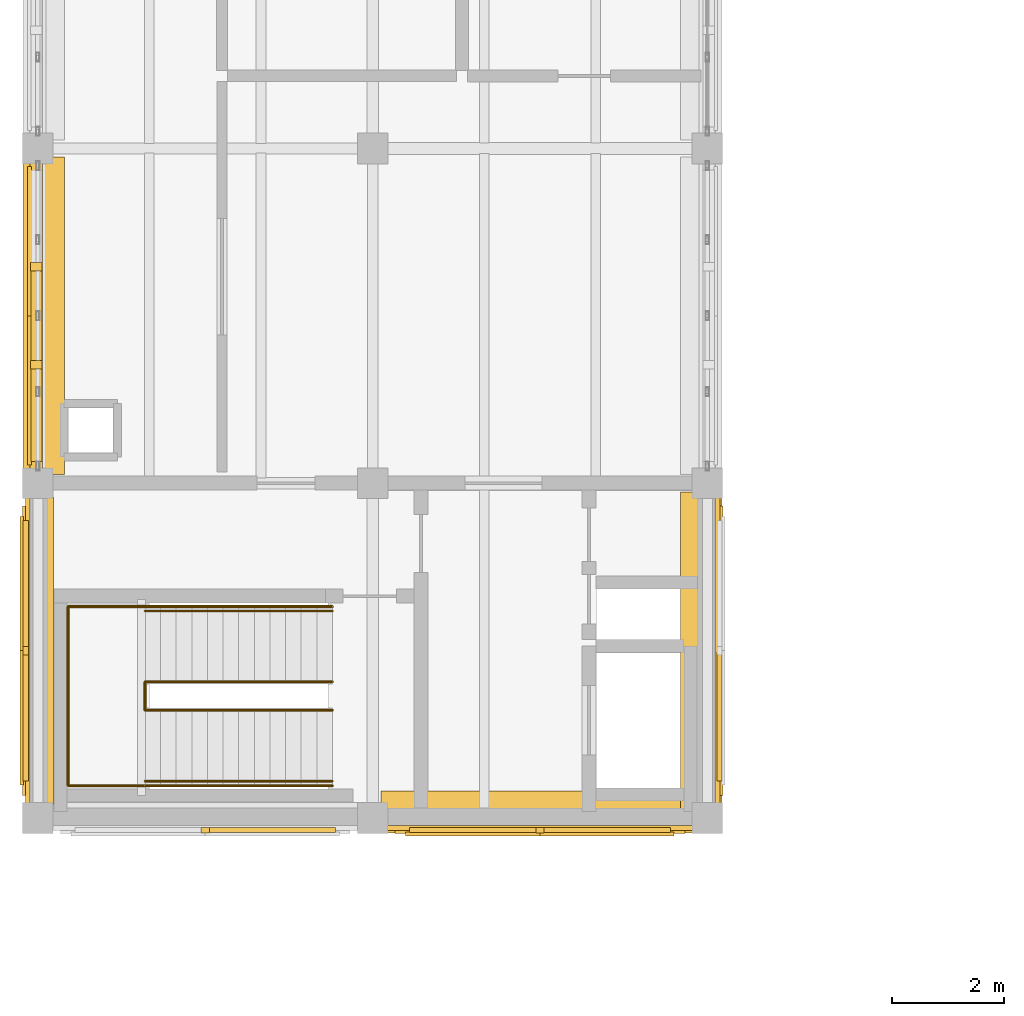
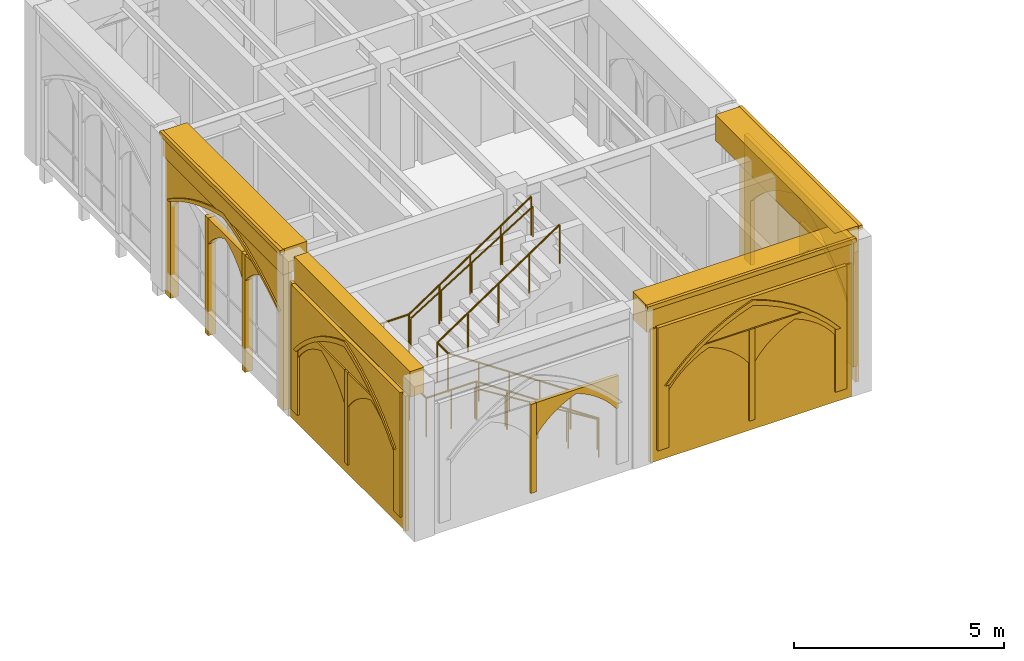
# One storey, part 86 of 108: 30 coverings, 6 railings.
"""IFC4 building model written with IfcOpenShell, lengths in metres."""

from ifc_helpers import new_model, si_unit, direction, frame, origin, origin_2d, place, context, subcontext, project, spatial, polyline, rectangle, circle, outline, extrude, material, type_object, element, save


model = new_model("IFC4")

# Units and contexts
model_context = context("Model", 3, precision=1e-05, world=origin(), true_north=direction((0.0, 1.0)))
body_context = subcontext(model_context, "Body", "Model", "MODEL_VIEW")
ifc_project = project(units=[si_unit("LENGTHUNIT", "METRE"), si_unit("AREAUNIT", "SQUARE_METRE"), si_unit("VOLUMEUNIT", "CUBIC_METRE"), si_unit("PLANEANGLEUNIT", "RADIAN"), si_unit("MASSUNIT", "GRAM", prefix="KILO")], contexts=[model_context])

# Site, building, storey
site_placement = place(None, origin())
site = spatial("IfcSite", under=ifc_project, at=site_placement, CompositionType="ELEMENT")
building_placement = place(site_placement, origin())
building = spatial("IfcBuilding", under=site, at=building_placement, Name="Cumevento Cable Car Station", CompositionType="ELEMENT")
storey_placement = place(building_placement, frame((0.0, 0.0, 13.5)))
storey = spatial("IfcBuildingStorey", under=building, at=storey_placement, Name="L04", CompositionType="ELEMENT", Elevation=13.5)

# Railings
ifc_material_1 = material(Name="Painted Galvanised Architectural Steel", Category="steel")
railing_type_1 = type_object("IfcRailingType", Name="Stair Guardrail GR-S115", PredefinedType="GUARDRAIL", material=ifc_material_1)
railing_1_placement = place(storey_placement, frame((15.280029296875, 28.929931640625, 0.0)))
element("IfcRailing", 1, at=railing_1_placement, inside=storey, type_object=railing_type_1, Name="Stair Well Inner Guardrail ST-03-L04", PredefinedType="GUARDRAIL", context=body_context, shape_type="SweptSolid", body=[
    extrude(circle(Radius=0.02392578125, at=origin_2d()), frame((0.0, 0.0, 1.1259765625), z_axis=(-0.830915400975, 0.0, 0.556398774641), x_axis=(0.0, -1.0, 0.0)), (0.0, 0.0, 1.0), 4.0439453125),
    extrude(circle(Radius=0.02392578125, at=origin_2d()), frame((-3.360107421875, 0.0, 3.3759765625), z_axis=(0.0, 1.0, 0.0), x_axis=(-1.0, 0.0, 0.0)), (0.0, 0.0, 1.0), 0.510009765625),
    extrude(circle(Radius=0.02392578125, at=origin_2d()), frame((-3.360107421875, 0.510009765625, 3.3759765625), z_axis=(0.830915400975, 0.0, 0.556398774641), x_axis=(0.0, 1.0, 0.0)), (0.0, 0.0, 1.0), 4.0439453125),
    extrude(circle(Radius=0.02001953125, at=origin_2d()), origin(), (0.0, 0.0, 1.0), 1.101806640625),
    extrude(circle(Radius=0.02001953125, at=origin_2d()), frame((-0.840087890625, 0.0, 0.5625)), (0.0, 0.0, 1.0), 1.101806640625),
    extrude(circle(Radius=0.02001953125, at=origin_2d()), frame((-1.68017578125, 0.0, 1.125)), (0.0, 0.0, 1.0), 1.101806640625),
    extrude(circle(Radius=0.02001953125, at=origin_2d()), frame((-2.52001953125, 0.0, 1.6875)), (0.0, 0.0, 1.0), 1.101806640625),
    extrude(circle(Radius=0.02001953125, at=origin_2d()), frame((-3.360107421875, 0.0, 2.25)), (0.0, 0.0, 1.0), 1.101806640625),
    extrude(circle(Radius=0.02001953125, at=origin_2d()), frame((-3.360107421875, 0.510009765625, 2.25)), (0.0, 0.0, 1.0), 1.101806640625),
    extrude(circle(Radius=0.02001953125, at=origin_2d()), frame((-2.52001953125, 0.510009765625, 2.8125)), (0.0, 0.0, 1.0), 1.101806640625),
    extrude(circle(Radius=0.02001953125, at=origin_2d()), frame((-1.68017578125, 0.510009765625, 3.375)), (0.0, 0.0, 1.0), 1.101806640625),
    extrude(circle(Radius=0.02001953125, at=origin_2d()), frame((-0.840087890625, 0.510009765625, 3.9375)), (0.0, 0.0, 1.0), 1.101806640625),
    extrude(circle(Radius=0.02001953125, at=origin_2d()), frame((0.0, 0.510009765625, 4.5)), (0.0, 0.0, 1.0), 1.101806640625),
])
railing_2_placement = place(storey_placement, frame((11.919921875, 27.580078125, 2.25)))
element("IfcRailing", 2, at=railing_2_placement, inside=storey, type_object=railing_type_1, Name="Stair Half-Landing Guardrail ST-03-L04", PredefinedType="GUARDRAIL", context=body_context, shape_type="SweptSolid", body=[
    extrude(circle(Radius=0.02392578125, at=origin_2d()), frame((0.0, 0.0, 1.1259765625), z_axis=(-1.0, 0.0, 0.0), x_axis=(0.0, -1.0, 0.0)), (0.0, 0.0, 1.0), 1.3798828125),
    extrude(circle(Radius=0.02392578125, at=origin_2d()), frame((-1.3798828125, 0.0, 1.1259765625), z_axis=(0.0, 1.0, 0.0), x_axis=(-1.0, 0.0, 0.0)), (0.0, 0.0, 1.0), 3.2099609375),
    extrude(circle(Radius=0.02392578125, at=origin_2d()), frame((-1.3798828125, 3.2099609375, 1.1259765625), z_axis=(1.0, 0.0, 0.0), x_axis=(0.0, 1.0, 0.0)), (0.0, 0.0, 1.0), 1.3798828125),
    extrude(circle(Radius=0.02001953125, at=origin_2d()), origin(), (0.0, 0.0, 1.0), 1.101806640625),
    extrude(circle(Radius=0.02001953125, at=origin_2d()), frame((-0.68994140625, 0.0, 0.0)), (0.0, 0.0, 1.0), 1.101806640625),
    extrude(circle(Radius=0.02001953125, at=origin_2d()), frame((-1.3798828125, 0.0, 0.0)), (0.0, 0.0, 1.0), 1.101806640625),
    extrude(circle(Radius=0.02001953125, at=origin_2d()), frame((-1.3798828125, 0.802490234375, 0.0)), (0.0, 0.0, 1.0), 1.101806640625),
    extrude(circle(Radius=0.02001953125, at=origin_2d()), frame((-1.3798828125, 1.60498046875, 0.0)), (0.0, 0.0, 1.0), 1.101806640625),
    extrude(circle(Radius=0.02001953125, at=origin_2d()), frame((-1.3798828125, 2.407470703125, 0.0)), (0.0, 0.0, 1.0), 1.101806640625),
    extrude(circle(Radius=0.02001953125, at=origin_2d()), frame((-1.3798828125, 3.2099609375, 0.0)), (0.0, 0.0, 1.0), 1.101806640625),
    extrude(circle(Radius=0.02001953125, at=origin_2d()), frame((-0.68994140625, 3.2099609375, 0.0)), (0.0, 0.0, 1.0), 1.101806640625),
    extrude(circle(Radius=0.02001953125, at=origin_2d()), frame((0.0, 3.2099609375, 0.0)), (0.0, 0.0, 1.0), 1.101806640625),
])
railing_3_placement = place(storey_placement, frame((15.280029296875, 27.580078125, 0.0)))
element("IfcRailing", 3, at=railing_3_placement, inside=storey, type_object=railing_type_1, Name="Stair Outer Guardrail ST-03-L04 F1", PredefinedType="GUARDRAIL", context=body_context, shape_type="SweptSolid", body=[
    extrude(circle(Radius=0.02392578125, at=origin_2d()), frame((0.0, 0.0, 1.1259765625), z_axis=(-0.830915400975, 0.0, 0.556398774641), x_axis=(0.0, -1.0, 0.0)), (0.0, 0.0, 1.0), 4.0439453125),
    extrude(circle(Radius=0.02001953125, at=origin_2d()), origin(), (0.0, 0.0, 1.0), 1.101806640625),
    extrude(circle(Radius=0.02001953125, at=origin_2d()), frame((-0.840087890625, 0.0, 0.5625)), (0.0, 0.0, 1.0), 1.101806640625),
    extrude(circle(Radius=0.02001953125, at=origin_2d()), frame((-1.68017578125, 0.0, 1.125)), (0.0, 0.0, 1.0), 1.101806640625),
    extrude(circle(Radius=0.02001953125, at=origin_2d()), frame((-2.52001953125, 0.0, 1.6875)), (0.0, 0.0, 1.0), 1.101806640625),
    extrude(circle(Radius=0.02001953125, at=origin_2d()), frame((-3.360107421875, 0.0, 2.25)), (0.0, 0.0, 1.0), 1.101806640625),
])
railing_4_placement = place(storey_placement, frame((11.919921875, 30.7900390625, 2.25)))
element("IfcRailing", 4, at=railing_4_placement, inside=storey, type_object=railing_type_1, Name="Stair Outer Guardrail ST-03-L04 F2", PredefinedType="GUARDRAIL", context=body_context, shape_type="SweptSolid", body=[
    extrude(circle(Radius=0.02392578125, at=origin_2d()), frame((0.0, 0.0, 1.1259765625), z_axis=(0.830915400975, 0.0, 0.556398774641), x_axis=(0.0, 1.0, 0.0)), (0.0, 0.0, 1.0), 4.0439453125),
    extrude(circle(Radius=0.02001953125, at=origin_2d()), origin(), (0.0, 0.0, 1.0), 1.101806640625),
    extrude(circle(Radius=0.02001953125, at=origin_2d()), frame((0.840087890625, 0.0, 0.5625)), (0.0, 0.0, 1.0), 1.101806640625),
    extrude(circle(Radius=0.02001953125, at=origin_2d()), frame((1.68017578125, 0.0, 1.125)), (0.0, 0.0, 1.0), 1.101806640625),
    extrude(circle(Radius=0.02001953125, at=origin_2d()), frame((2.52001953125, 0.0, 1.6875)), (0.0, 0.0, 1.0), 1.101806640625),
    extrude(circle(Radius=0.02001953125, at=origin_2d()), frame((3.360107421875, 0.0, 2.25)), (0.0, 0.0, 1.0), 1.101806640625),
])
ifc_material_2 = material(Name="Brushed Stainless Steel Handrail Tube", Category="steel")
railing_type_2 = type_object("IfcRailingType", Name="Stair Handrail HR-090", PredefinedType="HANDRAIL", material=ifc_material_2)
railing_5_placement = place(storey_placement, frame((15.280029296875, 27.659912109375, 0.17626953125)))
element("IfcRailing", 5, at=railing_5_placement, inside=storey, type_object=railing_type_2, Name="Stair Pitch Handrail ST-03-L04 F1", PredefinedType="HANDRAIL", context=body_context, shape_type="SweptSolid", body=[
    extrude(circle(Radius=0.02099609375, at=origin_2d()), frame((0.0, 0.0, 0.87890625), z_axis=(-0.850623216509, 0.0, 0.525775754039), x_axis=(0.0, -1.0, 0.0)), (0.0, 0.0, 1.0), 3.9501953125),
    extrude(circle(Radius=0.01611328125, at=origin_2d()), origin(), (0.0, 0.0, 1.0), 0.85791015625),
    extrude(circle(Radius=0.01611328125, at=origin_2d()), frame((-0.840087890625, 0.0, 0.519287109375)), (0.0, 0.0, 1.0), 0.85791015625),
    extrude(circle(Radius=0.01611328125, at=origin_2d()), frame((-1.68017578125, 0.0, 1.03857421875)), (0.0, 0.0, 1.0), 0.85791015625),
    extrude(circle(Radius=0.01611328125, at=origin_2d()), frame((-2.52001953125, 0.0, 1.5576171875)), (0.0, 0.0, 1.0), 0.85791015625),
    extrude(circle(Radius=0.01611328125, at=origin_2d()), frame((-3.360107421875, 0.0, 2.076904296875)), (0.0, 0.0, 1.0), 0.85791015625),
])
railing_6_placement = place(storey_placement, frame((11.919921875, 30.7099609375, 2.42626953125)))
element("IfcRailing", 6, at=railing_6_placement, inside=storey, type_object=railing_type_2, Name="Stair Pitch Handrail ST-03-L04 F2", PredefinedType="HANDRAIL", context=body_context, shape_type="SweptSolid", body=[
    extrude(circle(Radius=0.02099609375, at=origin_2d()), frame((0.0, 0.0, 0.87890625), z_axis=(0.850623216509, 0.0, 0.525775754039), x_axis=(0.0, 1.0, 0.0)), (0.0, 0.0, 1.0), 3.9501953125),
    extrude(circle(Radius=0.01611328125, at=origin_2d()), origin(), (0.0, 0.0, 1.0), 0.85791015625),
    extrude(circle(Radius=0.01611328125, at=origin_2d()), frame((0.840087890625, 0.0, 0.519287109375)), (0.0, 0.0, 1.0), 0.85791015625),
    extrude(circle(Radius=0.01611328125, at=origin_2d()), frame((1.68017578125, 0.0, 1.03857421875)), (0.0, 0.0, 1.0), 0.85791015625),
    extrude(circle(Radius=0.01611328125, at=origin_2d()), frame((2.52001953125, 0.0, 1.5576171875)), (0.0, 0.0, 1.0), 0.85791015625),
    extrude(circle(Radius=0.01611328125, at=origin_2d()), frame((3.360107421875, 0.0, 2.076904296875)), (0.0, 0.0, 1.0), 0.85791015625),
])

# Coverings
ifc_material_3 = material(Name="Gnaisse Facoidal Stone Ashlar 85 MPa", Category="masonry")
covering_type = type_object("IfcCoveringType", Name="Gnaisse Ashlar Cladding CV-CL01", PredefinedType="CLADDING", material=ifc_material_3)
covering_1_placement = place(storey_placement, frame((19.0, 27.14990234375, 3.77099609375), z_axis=(0.0, 0.0, 1.0), x_axis=(-1.0, 0.0, 0.0)))
element("IfcCovering", 7, at=covering_1_placement, inside=storey, type_object=covering_type, Name="Gothic Stone Spandrel Stringcourse sc:0707", PredefinedType="CLADDING", context=body_context, shape_type="SweptSolid", body=[
    extrude(rectangle(XDim=5.68994140625, YDim=0.659912109375, at=origin_2d()), origin(), (0.0, 0.0, 1.0), 0.797119140625),
])
covering_2_placement = place(storey_placement, frame((19.0, 26.79248046875, 4.43798828125), z_axis=(0.0, 0.0, 1.0), x_axis=(-1.0, 0.0, 0.0)))
element("IfcCovering", 8, at=covering_2_placement, inside=storey, type_object=covering_type, Name="Gothic Cornice Dripstone Lip sc:0707", PredefinedType="CLADDING", context=body_context, shape_type="SweptSolid", body=[
    extrude(rectangle(XDim=5.72998046875, YDim=0.114990234375, at=origin_2d()), origin(), (0.0, 0.0, 1.0), 0.1298828125),
])
covering_3_placement = place(storey_placement, frame((10.090087890625, 30.0, 3.821044921875), z_axis=(0.0, 0.0, 1.0), x_axis=(0.0, 1.0, 0.0)))
element("IfcCovering", 9, at=covering_3_placement, inside=storey, type_object=covering_type, Name="Gothic Stone Spandrel Stringcourse sc:0708", PredefinedType="CLADDING", context=body_context, shape_type="SweptSolid", body=[
    extrude(rectangle(XDim=5.510009765625, YDim=0.3798828125, at=origin_2d()), origin(), (0.0, 0.0, 1.0), 0.7470703125),
])
covering_4_placement = place(storey_placement, frame((21.85009765625, 30.0, 3.821044921875), z_axis=(0.0, 0.0, 1.0), x_axis=(0.0, -1.0, 0.0)))
element("IfcCovering", 10, at=covering_4_placement, inside=storey, type_object=covering_type, Name="Gothic Stone Spandrel Stringcourse sc:0709", PredefinedType="CLADDING", context=body_context, shape_type="SweptSolid", body=[
    extrude(rectangle(XDim=5.68994140625, YDim=0.659912109375, at=origin_2d()), origin(), (0.0, 0.0, 1.0), 0.7470703125),
])
covering_5_placement = place(storey_placement, frame((22.20751953125, 30.0, 4.43798828125), z_axis=(0.0, 0.0, 1.0), x_axis=(0.0, -1.0, 0.0)))
element("IfcCovering", 11, at=covering_5_placement, inside=storey, type_object=covering_type, Name="Gothic Cornice Dripstone Lip sc:0709", PredefinedType="CLADDING", context=body_context, shape_type="SweptSolid", body=[
    extrude(rectangle(XDim=5.72998046875, YDim=0.114990234375, at=origin_2d()), origin(), (0.0, 0.0, 1.0), 0.1298828125),
])
covering_6_placement = place(storey_placement, frame((10.14990234375, 36.0, 3.821044921875), z_axis=(0.0, 0.0, 1.0), x_axis=(0.0, 1.0, 0.0)))
element("IfcCovering", 12, at=covering_6_placement, inside=storey, type_object=covering_type, Name="Gothic Stone Spandrel Stringcourse sc:0712", PredefinedType="CLADDING", context=body_context, shape_type="SweptSolid", body=[
    extrude(rectangle(XDim=5.68994140625, YDim=0.659912109375, at=origin_2d()), origin(), (0.0, 0.0, 1.0), 0.7470703125),
])
covering_7_placement = place(storey_placement, frame((9.79248046875, 36.0, 4.43798828125), z_axis=(0.0, 0.0, 1.0), x_axis=(0.0, 1.0, 0.0)))
element("IfcCovering", 13, at=covering_7_placement, inside=storey, type_object=covering_type, Name="Gothic Cornice Dripstone Lip sc:0712", PredefinedType="CLADDING", context=body_context, shape_type="SweptSolid", body=[
    extrude(rectangle(XDim=5.72998046875, YDim=0.114990234375, at=origin_2d()), origin(), (0.0, 0.0, 1.0), 0.1298828125),
])
placement_1 = place(storey_placement, frame((10.0, 33.27490234375, -0.159912109375), z_axis=(0.0, 0.0, 1.0), x_axis=(0.0, 1.0, 0.0)))
element("IfcCovering", 14, at=placement_1, inside=storey, type_object=covering_type, Name="Gothic Ogival Pointed-Arch Stone Spandrel cw_ogival:0151", PredefinedType="CLADDING", context=body_context, shape_type="SweptSolid", body=[
    extrude(outline(polyline([(-0.080078125, 0.0), (-0.080078125, 4.12109375), (5.530029296875, 4.12109375), (5.530029296875, 0.0), (5.2900390625, 0.0), (5.2900390625, 2.8310546875), (4.993896484375, 3.018310546875), (4.689208984375, 3.19140625), (4.377197265625, 3.3505859375), (4.057861328125, 3.494873046875), (3.732421875, 3.62451171875), (3.4013671875, 3.73876953125), (3.065185546875, 3.837646484375), (2.72509765625, 3.921142578125), (2.384765625, 3.837646484375), (2.048583984375, 3.73876953125), (1.717529296875, 3.62451171875), (1.39208984375, 3.494873046875), (1.07275390625, 3.3505859375), (0.7607421875, 3.19140625), (0.4560546875, 3.018310546875), (0.159912109375, 2.8310546875), (0.159912109375, 0.0), (-0.080078125, 0.0)])), frame((0.0, 0.139892578125, 0.0), z_axis=(0.0, -1.0, 0.0), x_axis=(1.0, 0.0, 0.0)), (0.0, 0.0, 1.0), 0.219970703125),
])
covering_9_placement = place(storey_placement, frame((10.0, 33.27490234375, 2.6708984375), z_axis=(0.0, 0.0, 1.0), x_axis=(0.0, 1.0, 0.0)))
element("IfcCovering", 15, at=covering_9_placement, inside=storey, type_object=covering_type, Name="Gothic Pointed Archivolt Hood Moulding cw_ogival:0151", PredefinedType="CLADDING", context=body_context, shape_type="SweptSolid", body=[
    extrude(outline(polyline([(0.159912109375, 0.0), (0.4560546875, 0.187255859375), (0.7607421875, 0.3603515625), (1.07275390625, 0.51953125), (1.39208984375, 0.663818359375), (1.717529296875, 0.79345703125), (2.048583984375, 0.90771484375), (2.384765625, 1.006591796875), (2.72509765625, 1.090087890625), (3.065185546875, 1.006591796875), (3.4013671875, 0.90771484375), (3.732421875, 0.79345703125), (4.057861328125, 0.663818359375), (4.377197265625, 0.51953125), (4.689208984375, 0.3603515625), (4.993896484375, 0.187255859375), (5.2900390625, 0.0), (5.39990234375, 0.0), (5.094970703125, 0.210205078125), (4.780029296875, 0.40478515625), (4.4560546875, 0.583740234375), (4.123291015625, 0.74658203125), (3.783203125, 0.892578125), (3.43603515625, 1.021728515625), (3.0830078125, 1.13330078125), (2.72509765625, 1.2275390625), (2.366943359375, 1.13330078125), (2.013916015625, 1.021728515625), (1.666748046875, 0.892578125), (1.32666015625, 0.74658203125), (0.993896484375, 0.583740234375), (0.669921875, 0.40478515625), (0.35498046875, 0.210205078125), (0.050048828125, 0.0), (0.159912109375, 0.0)])), frame((0.0, 0.181884765625, 0.0), z_axis=(0.0, -1.0, 0.0), x_axis=(1.0, 0.0, 0.0)), (0.0, 0.0, 1.0), 0.06689453125),
])
element("IfcCovering", 16, at=placement_1, inside=storey, type_object=covering_type, Name="Gothic Bifora Stone Colonnette cw_ogival:0151 #1", PredefinedType="CLADDING", context=body_context, shape_type="SweptSolid", body=[
    extrude(outline(polyline([(1.77001953125, -0.02001953125), (1.919921875, -0.02001953125), (1.919921875, 3.397705078125), (1.77001953125, 3.397705078125), (1.77001953125, -0.02001953125)])), frame((0.0, 0.1279296875, 0.0), z_axis=(0.0, -1.0, 0.0), x_axis=(1.0, 0.0, 0.0)), (0.0, 0.0, 1.0), 0.205078125),
])
element("IfcCovering", 17, at=placement_1, inside=storey, type_object=covering_type, Name="Gothic Bifora Stone Colonnette cw_ogival:0151 #2", PredefinedType="CLADDING", context=body_context, shape_type="SweptSolid", body=[
    extrude(outline(polyline([(3.530029296875, -0.02001953125), (3.679931640625, -0.02001953125), (3.679931640625, 3.397705078125), (3.530029296875, 3.397705078125), (3.530029296875, -0.02001953125)])), frame((0.0, 0.1279296875, 0.0), z_axis=(0.0, -1.0, 0.0), x_axis=(1.0, 0.0, 0.0)), (0.0, 0.0, 1.0), 0.205078125),
])
for number, where, z_axis, x_axis, name in (
    (18, (10.0, 33.405029296875, 2.490966796875), (0.0, 0.0, 1.0), (0.0, 1.0, 0.0), "Gothic Ogival Pointed-Arch Stone Spandrel cw_ogival:0151:sub:0"),
    (19, (10.0, 35.1650390625, 2.490966796875), (0.0, 0.0, 1.0), (0.0, 1.0, 0.0), "Gothic Ogival Pointed-Arch Stone Spandrel cw_ogival:0151:sub:1"),
):
    element("IfcCovering", number, at=place(storey_placement, frame(where, z_axis=z_axis, x_axis=x_axis)), inside=storey, type_object=covering_type, Name=name, PredefinedType="CLADDING", context=body_context, shape_type="SweptSolid", body=[
        extrude(outline(polyline([(-0.02001953125, 0.0), (-0.02001953125, 0.746826171875), (1.68994140625, 0.746826171875), (1.68994140625, 0.0), (1.6298828125, 0.0), (1.526611328125, 0.13671875), (1.409912109375, 0.26220703125), (1.281005859375, 0.375), (1.14111328125, 0.473876953125), (0.991943359375, 0.558349609375), (0.8349609375, 0.626708984375), (0.677978515625, 0.558349609375), (0.52880859375, 0.473876953125), (0.388916015625, 0.375), (0.260009765625, 0.26220703125), (0.143310546875, 0.13671875), (0.0400390625, 0.0), (-0.02001953125, 0.0)])), frame((0.0, 0.1240234375, 0.0), z_axis=(0.0, -1.0, 0.0), x_axis=(1.0, 0.0, 0.0)), (0.0, 0.0, 1.0), 0.199951171875),
    ])
covering_12_placement = place(storey_placement, frame((15.544921875, 27.0, 0.300048828125), z_axis=(0.0, 0.0, 1.0), x_axis=(-1.0, 0.0, 0.0)))
element("IfcCovering", 20, at=covering_12_placement, inside=storey, type_object=covering_type, Name="Gothic Bifora Stone Colonnette blind_ogival:0266 #1", PredefinedType="CLADDING", context=body_context, shape_type="SweptSolid", body=[
    extrude(outline(polyline([(2.469970703125, -0.02001953125), (2.6201171875, -0.02001953125), (2.6201171875, 2.563720703125), (2.469970703125, 2.563720703125), (2.469970703125, -0.02001953125)])), frame((0.0, 0.265380859375, 0.0), z_axis=(0.0, -1.0, 0.0), x_axis=(1.0, 0.0, 0.0)), (0.0, 0.0, 1.0), 0.094970703125),
])
covering_13_placement = place(storey_placement, frame((15.31494140625, 27.0, 1.91943359375), z_axis=(0.0, 0.0, 1.0), x_axis=(-1.0, 0.0, 0.0)))
element("IfcCovering", 21, at=covering_13_placement, inside=storey, type_object=covering_type, Name="Gothic Ogival Pointed-Arch Stone Spandrel blind_ogival:0266:sub:0", PredefinedType="CLADDING", context=body_context, shape_type="SweptSolid", body=[
    extrude(outline(polyline([(-0.02001953125, 0.0), (-0.02001953125, 0.944091796875), (2.2900390625, 0.944091796875), (2.2900390625, 0.0), (2.22998046875, 0.0), (2.084716796875, 0.180419921875), (1.922119140625, 0.345703125), (1.744140625, 0.493896484375), (1.55224609375, 0.6240234375), (1.3486328125, 0.734375), (1.135009765625, 0.82421875), (0.92138671875, 0.734375), (0.7177734375, 0.6240234375), (0.52587890625, 0.493896484375), (0.347900390625, 0.345703125), (0.185302734375, 0.180419921875), (0.0400390625, 0.0), (-0.02001953125, 0.0)])), frame((0.0, 0.261474609375, 0.0), z_axis=(0.0, -1.0, 0.0), x_axis=(1.0, 0.0, 0.0)), (0.0, 0.0, 1.0), 0.090087890625),
])
covering_14_placement = place(storey_placement, frame((21.72509765625, 27.0, 0.0), z_axis=(0.0, 0.0, 1.0), x_axis=(-1.0, 0.0, 0.0)))
element("IfcCovering", 22, at=covering_14_placement, inside=storey, type_object=covering_type, Name="Exterior Gnaisse Stone Wall Ashlar #267", PredefinedType="CLADDING", context=body_context, shape_type="SweptSolid", body=[
    extrude(outline(polyline([(-0.0400390625, -0.02001953125), (5.489990234375, -0.02001953125), (5.489990234375, 3.85107421875), (-0.0400390625, 3.85107421875), (-0.0400390625, -0.02001953125)])), frame((0.0, 0.222412109375, 0.0), z_axis=(0.0, -1.0, 0.0), x_axis=(1.0, 0.0, 0.0)), (0.0, 0.0, 1.0), 0.0849609375),
])
placement_2 = place(storey_placement, frame((21.544921875, 27.0, 0.300048828125), z_axis=(0.0, 0.0, 1.0), x_axis=(-1.0, 0.0, 0.0)))
element("IfcCovering", 23, at=placement_2, inside=storey, type_object=covering_type, Name="Gothic Ogival Pointed-Arch Stone Spandrel blind_ogival:0267", PredefinedType="CLADDING", context=body_context, shape_type="SweptSolid", body=[
    extrude(outline(polyline([(-0.050048828125, 0.0), (-0.050048828125, 3.571044921875), (5.139892578125, 3.571044921875), (5.139892578125, 0.0), (4.830078125, 0.0), (4.830078125, 1.845458984375), (4.55810546875, 2.132568359375), (4.264892578125, 2.39794921875), (3.9521484375, 2.640380859375), (3.621826171875, 2.85791015625), (3.27587890625, 3.049560546875), (2.916259765625, 3.21435546875), (2.544921875, 3.35107421875), (2.173828125, 3.21435546875), (1.814208984375, 3.049560546875), (1.46826171875, 2.85791015625), (1.137939453125, 2.640380859375), (0.8251953125, 2.39794921875), (0.531982421875, 2.132568359375), (0.260009765625, 1.845458984375), (0.260009765625, 0.0), (-0.050048828125, 0.0)])), frame((0.0, 0.277587890625, 0.0), z_axis=(0.0, -1.0, 0.0), x_axis=(1.0, 0.0, 0.0)), (0.0, 0.0, 1.0), 0.110107421875),
])
covering_16_placement = place(storey_placement, frame((21.544921875, 27.0, 2.1455078125), z_axis=(0.0, 0.0, 1.0), x_axis=(-1.0, 0.0, 0.0)))
element("IfcCovering", 24, at=covering_16_placement, inside=storey, type_object=covering_type, Name="Gothic Pointed Archivolt Hood Moulding blind_ogival:0267", PredefinedType="CLADDING", context=body_context, shape_type="SweptSolid", body=[
    extrude(outline(polyline([(0.260009765625, 0.0), (0.531982421875, 0.287109375), (0.8251953125, 0.552490234375), (1.137939453125, 0.794921875), (1.46826171875, 1.012451171875), (1.814208984375, 1.2041015625), (2.173828125, 1.368896484375), (2.544921875, 1.505615234375), (2.916259765625, 1.368896484375), (3.27587890625, 1.2041015625), (3.621826171875, 1.012451171875), (3.9521484375, 0.794921875), (4.264892578125, 0.552490234375), (4.55810546875, 0.287109375), (4.830078125, 0.0), (4.950927734375, 0.0), (4.669189453125, 0.31494140625), (4.36328125, 0.606689453125), (4.035400390625, 0.873046875), (3.687255859375, 1.11279296875), (3.3212890625, 1.32421875), (2.93994140625, 1.505859375), (2.544921875, 1.65673828125), (2.150146484375, 1.505859375), (1.768798828125, 1.32421875), (1.40283203125, 1.11279296875), (1.0546875, 0.873046875), (0.726806640625, 0.606689453125), (0.4208984375, 0.31494140625), (0.138916015625, 0.0), (0.260009765625, 0.0)])), frame((0.0, 0.319580078125, 0.0), z_axis=(0.0, -1.0, 0.0), x_axis=(1.0, 0.0, 0.0)), (0.0, 0.0, 1.0), 0.06689453125),
])
element("IfcCovering", 25, at=placement_2, inside=storey, type_object=covering_type, Name="Gothic Bifora Stone Colonnette blind_ogival:0267 #1", PredefinedType="CLADDING", context=body_context, shape_type="SweptSolid", body=[
    extrude(outline(polyline([(2.469970703125, -0.02001953125), (2.6201171875, -0.02001953125), (2.6201171875, 2.62841796875), (2.469970703125, 2.62841796875), (2.469970703125, -0.02001953125)])), frame((0.0, 0.265380859375, 0.0), z_axis=(0.0, -1.0, 0.0), x_axis=(1.0, 0.0, 0.0)), (0.0, 0.0, 1.0), 0.094970703125),
])
for number, where, z_axis, x_axis, name in (
    (26, (21.31494140625, 27.0, 1.96533203125), (0.0, 0.0, 1.0), (-1.0, 0.0, 0.0), "Gothic Ogival Pointed-Arch Stone Spandrel blind_ogival:0267:sub:0"),
    (27, (18.955078125, 27.0, 1.96533203125), (0.0, 0.0, 1.0), (-1.0, 0.0, 0.0), "Gothic Ogival Pointed-Arch Stone Spandrel blind_ogival:0267:sub:1"),
):
    element("IfcCovering", number, at=place(storey_placement, frame(where, z_axis=z_axis, x_axis=x_axis)), inside=storey, type_object=covering_type, Name=name, PredefinedType="CLADDING", context=body_context, shape_type="SweptSolid", body=[
        extrude(outline(polyline([(-0.02001953125, 0.0), (-0.02001953125, 0.962890625), (2.2900390625, 0.962890625), (2.2900390625, 0.0), (2.22998046875, 0.0), (2.086181640625, 0.18408203125), (1.92431640625, 0.35302734375), (1.74658203125, 0.504638671875), (1.554443359375, 0.6376953125), (1.349853515625, 0.7509765625), (1.135009765625, 0.843017578125), (0.920166015625, 0.7509765625), (0.715576171875, 0.6376953125), (0.5234375, 0.504638671875), (0.345703125, 0.35302734375), (0.183837890625, 0.18408203125), (0.0400390625, 0.0), (-0.02001953125, 0.0)])), frame((0.0, 0.261474609375, 0.0), z_axis=(0.0, -1.0, 0.0), x_axis=(1.0, 0.0, 0.0)), (0.0, 0.0, 1.0), 0.090087890625),
    ])
covering_18_placement = place(storey_placement, frame((10.0, 27.27490234375, 0.0), z_axis=(0.0, 0.0, 1.0), x_axis=(0.0, 1.0, 0.0)))
element("IfcCovering", 28, at=covering_18_placement, inside=storey, type_object=covering_type, Name="Exterior Gnaisse Stone Wall Ashlar #268", PredefinedType="CLADDING", context=body_context, shape_type="SweptSolid", body=[
    extrude(outline(polyline([(-0.0400390625, -0.02001953125), (5.489990234375, -0.02001953125), (5.489990234375, 3.90087890625), (-0.0400390625, 3.90087890625), (-0.0400390625, -0.02001953125)])), frame((0.0, 0.222412109375, 0.0), z_axis=(0.0, -1.0, 0.0), x_axis=(1.0, 0.0, 0.0)), (0.0, 0.0, 1.0), 0.0849609375),
])
placement_3 = place(storey_placement, frame((10.0, 27.455078125, 0.300048828125), z_axis=(0.0, 0.0, 1.0), x_axis=(0.0, 1.0, 0.0)))
element("IfcCovering", 29, at=placement_3, inside=storey, type_object=covering_type, Name="Gothic Ogival Pointed-Arch Stone Spandrel blind_ogival:0268", PredefinedType="CLADDING", context=body_context, shape_type="SweptSolid", body=[
    extrude(outline(polyline([(-0.050048828125, 0.0), (-0.050048828125, 3.62109375), (5.139892578125, 3.62109375), (5.139892578125, 0.0), (4.830078125, 0.0), (4.830078125, 1.873291015625), (4.559326171875, 2.164306640625), (4.26708984375, 2.43359375), (3.954833984375, 2.67919921875), (3.62451171875, 2.900390625), (3.27783203125, 3.0947265625), (2.91748046875, 3.26220703125), (2.544921875, 3.40087890625), (2.172607421875, 3.26220703125), (1.812255859375, 3.0947265625), (1.465576171875, 2.900390625), (1.13525390625, 2.67919921875), (0.822998046875, 2.43359375), (0.53076171875, 2.164306640625), (0.260009765625, 1.873291015625), (0.260009765625, 0.0), (-0.050048828125, 0.0)])), frame((0.0, 0.277587890625, 0.0), z_axis=(0.0, -1.0, 0.0), x_axis=(1.0, 0.0, 0.0)), (0.0, 0.0, 1.0), 0.110107421875),
])
covering_20_placement = place(storey_placement, frame((10.0, 27.455078125, 2.17333984375), z_axis=(0.0, 0.0, 1.0), x_axis=(0.0, 1.0, 0.0)))
element("IfcCovering", 30, at=covering_20_placement, inside=storey, type_object=covering_type, Name="Gothic Pointed Archivolt Hood Moulding blind_ogival:0268", PredefinedType="CLADDING", context=body_context, shape_type="SweptSolid", body=[
    extrude(outline(polyline([(0.260009765625, 0.0), (0.53076171875, 0.291015625), (0.822998046875, 0.560302734375), (1.13525390625, 0.805908203125), (1.465576171875, 1.02685546875), (1.812255859375, 1.221435546875), (2.172607421875, 1.388671875), (2.544921875, 1.527587890625), (2.91748046875, 1.388671875), (3.27783203125, 1.221435546875), (3.62451171875, 1.02685546875), (3.954833984375, 0.805908203125), (4.26708984375, 0.560302734375), (4.559326171875, 0.291015625), (4.830078125, 0.0), (4.950927734375, 0.0), (4.670654296875, 0.31884765625), (4.36572265625, 0.6142578125), (4.0380859375, 0.884033203125), (3.68994140625, 1.127197265625), (3.323486328125, 1.34130859375), (2.941162109375, 1.525634765625), (2.544921875, 1.678955078125), (2.14892578125, 1.525634765625), (1.7666015625, 1.34130859375), (1.400146484375, 1.127197265625), (1.052001953125, 0.884033203125), (0.724365234375, 0.6142578125), (0.41943359375, 0.31884765625), (0.138916015625, 0.0), (0.260009765625, 0.0)])), frame((0.0, 0.319580078125, 0.0), z_axis=(0.0, -1.0, 0.0), x_axis=(1.0, 0.0, 0.0)), (0.0, 0.0, 1.0), 0.06689453125),
])
element("IfcCovering", 31, at=placement_3, inside=storey, type_object=covering_type, Name="Gothic Bifora Stone Colonnette blind_ogival:0268 #1", PredefinedType="CLADDING", context=body_context, shape_type="SweptSolid", body=[
    extrude(outline(polyline([(2.469970703125, -0.02001953125), (2.6201171875, -0.02001953125), (2.6201171875, 2.667724609375), (2.469970703125, 2.667724609375), (2.469970703125, -0.02001953125)])), frame((0.0, 0.265380859375, 0.0), z_axis=(0.0, -1.0, 0.0), x_axis=(1.0, 0.0, 0.0)), (0.0, 0.0, 1.0), 0.094970703125),
])
for number, where, z_axis, x_axis, name in (
    (32, (10.0, 27.68505859375, 1.993408203125), (0.0, 0.0, 1.0), (0.0, 1.0, 0.0), "Gothic Ogival Pointed-Arch Stone Spandrel blind_ogival:0268:sub:0"),
    (33, (10.0, 30.044921875, 1.993408203125), (0.0, 0.0, 1.0), (0.0, 1.0, 0.0), "Gothic Ogival Pointed-Arch Stone Spandrel blind_ogival:0268:sub:1"),
):
    element("IfcCovering", number, at=place(storey_placement, frame(where, z_axis=z_axis, x_axis=x_axis)), inside=storey, type_object=covering_type, Name=name, PredefinedType="CLADDING", context=body_context, shape_type="SweptSolid", body=[
        extrude(outline(polyline([(-0.02001953125, 0.0), (-0.02001953125, 0.974365234375), (2.2900390625, 0.974365234375), (2.2900390625, 0.0), (2.22998046875, 0.0), (2.0869140625, 0.1865234375), (1.92578125, 0.357421875), (1.748046875, 0.51123046875), (1.5556640625, 0.646240234375), (1.3505859375, 0.760986328125), (1.135009765625, 0.8544921875), (0.91943359375, 0.760986328125), (0.71435546875, 0.646240234375), (0.52197265625, 0.51123046875), (0.34423828125, 0.357421875), (0.18310546875, 0.1865234375), (0.0400390625, 0.0), (-0.02001953125, 0.0)])), frame((0.0, 0.261474609375, 0.0), z_axis=(0.0, -1.0, 0.0), x_axis=(1.0, 0.0, 0.0)), (0.0, 0.0, 1.0), 0.090087890625),
    ])
covering_22_placement = place(storey_placement, frame((22.0, 32.72509765625, 0.0), z_axis=(0.0, 0.0, 1.0), x_axis=(0.0, -1.0, 0.0)))
element("IfcCovering", 34, at=covering_22_placement, inside=storey, type_object=covering_type, Name="Exterior Gnaisse Stone Wall Ashlar #269", PredefinedType="CLADDING", context=body_context, shape_type="SweptSolid", body=[
    extrude(outline(polyline([(-0.0400390625, -0.02001953125), (5.489990234375, -0.02001953125), (5.489990234375, 3.90087890625), (-0.0400390625, 3.90087890625), (-0.0400390625, -0.02001953125)])), frame((0.0, 0.222412109375, 0.0), z_axis=(0.0, -1.0, 0.0), x_axis=(1.0, 0.0, 0.0)), (0.0, 0.0, 1.0), 0.0849609375),
])
covering_23_placement = place(storey_placement, frame((22.0, 32.544921875, 0.300048828125), z_axis=(0.0, 0.0, 1.0), x_axis=(0.0, -1.0, 0.0)))
element("IfcCovering", 35, at=covering_23_placement, inside=storey, type_object=covering_type, Name="Gothic Ogival Pointed-Arch Stone Spandrel blind_ogival:0269", PredefinedType="CLADDING", context=body_context, shape_type="SweptSolid", body=[
    extrude(outline(polyline([(-0.050048828125, 0.0), (-0.050048828125, 3.62109375), (5.139892578125, 3.62109375), (5.139892578125, 0.0), (4.830078125, 0.0), (4.830078125, 1.873291015625), (4.559326171875, 2.164306640625), (4.26708984375, 2.43359375), (3.954833984375, 2.67919921875), (3.62451171875, 2.900390625), (3.27783203125, 3.0947265625), (2.91748046875, 3.26220703125), (2.544921875, 3.40087890625), (2.172607421875, 3.26220703125), (1.812255859375, 3.0947265625), (1.465576171875, 2.900390625), (1.13525390625, 2.67919921875), (0.822998046875, 2.43359375), (0.53076171875, 2.164306640625), (0.260009765625, 1.873291015625), (0.260009765625, 0.0), (-0.050048828125, 0.0)])), frame((0.0, 0.277587890625, 0.0), z_axis=(0.0, -1.0, 0.0), x_axis=(1.0, 0.0, 0.0)), (0.0, 0.0, 1.0), 0.110107421875),
])
covering_24_placement = place(storey_placement, frame((22.0, 29.955078125, 1.993408203125), z_axis=(0.0, 0.0, 1.0), x_axis=(0.0, -1.0, 0.0)))
element("IfcCovering", 36, at=covering_24_placement, inside=storey, type_object=covering_type, Name="Gothic Ogival Pointed-Arch Stone Spandrel blind_ogival:0269:sub:1", PredefinedType="CLADDING", context=body_context, shape_type="SweptSolid", body=[
    extrude(outline(polyline([(-0.02001953125, 0.0), (-0.02001953125, 0.974365234375), (2.2900390625, 0.974365234375), (2.2900390625, 0.0), (2.22998046875, 0.0), (2.0869140625, 0.1865234375), (1.92578125, 0.357421875), (1.748046875, 0.51123046875), (1.5556640625, 0.646240234375), (1.3505859375, 0.760986328125), (1.135009765625, 0.8544921875), (0.91943359375, 0.760986328125), (0.71435546875, 0.646240234375), (0.52197265625, 0.51123046875), (0.34423828125, 0.357421875), (0.18310546875, 0.1865234375), (0.0400390625, 0.0), (-0.02001953125, 0.0)])), frame((0.0, 0.261474609375, 0.0), z_axis=(0.0, -1.0, 0.0), x_axis=(1.0, 0.0, 0.0)), (0.0, 0.0, 1.0), 0.090087890625),
])

save(model, "model.ifc")
